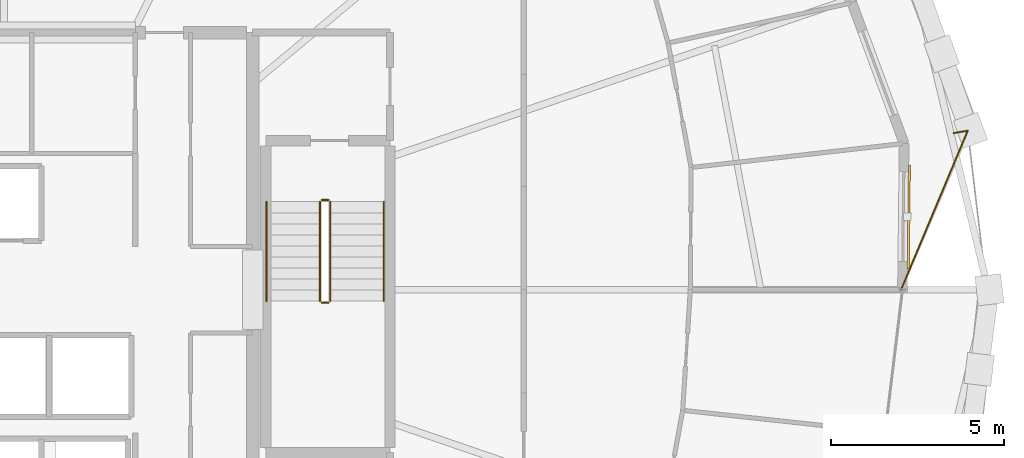
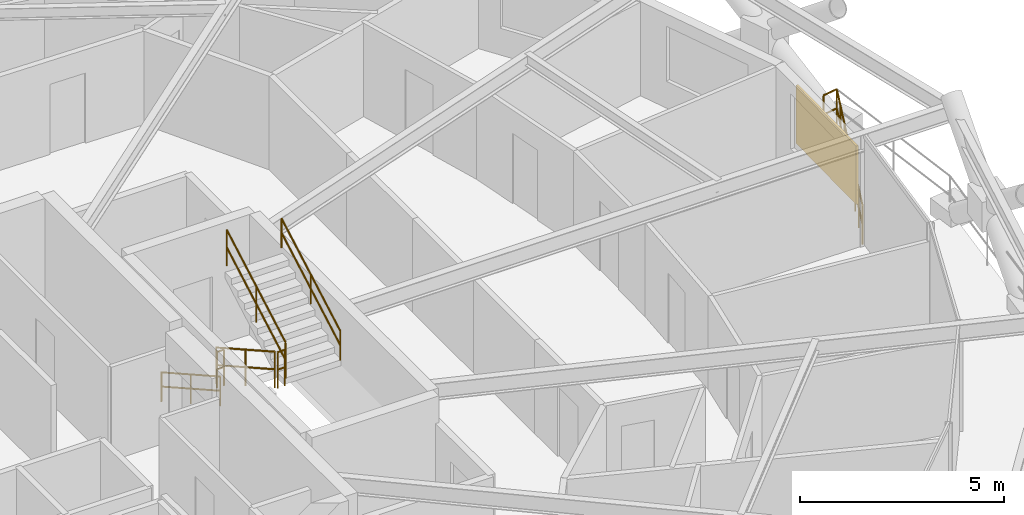
# One storey, part 20 of 20: 7 railings, 1 shading device.
"""IFC4 building model written with IfcOpenShell, lengths in metres."""

from ifc_helpers import new_model, si_unit, direction, frame, origin, origin_2d, place, context, subcontext, project, spatial, rectangle, circle, extrude, material, layer, layer_set, type_object, element, save


model = new_model("IFC4")

# Units and contexts
model_context = context("Model", 3, precision=1e-05, world=origin(), true_north=direction((0.0, 1.0)))
body_context = subcontext(model_context, "Body", "Model", "MODEL_VIEW")
ifc_project = project(units=[si_unit("LENGTHUNIT", "METRE"), si_unit("AREAUNIT", "SQUARE_METRE"), si_unit("VOLUMEUNIT", "CUBIC_METRE"), si_unit("PLANEANGLEUNIT", "RADIAN"), si_unit("MASSUNIT", "GRAM", prefix="KILO")], contexts=[model_context])

# Site, building, storey
site_placement = place(None, origin())
site = spatial("IfcSite", under=ifc_project, at=site_placement, CompositionType="ELEMENT")
building_placement = place(site_placement, origin())
building = spatial("IfcBuilding", under=site, at=building_placement, Name="Veldorina Hangang Commons", CompositionType="ELEMENT")
storey_placement = place(building_placement, frame((0.0, 0.0, 131.60009765625)))
storey = spatial("IfcBuildingStorey", under=building, at=storey_placement, Name="L33", CompositionType="ELEMENT", Elevation=131.60009765625)

# Railings
ifc_material_1 = material(Name="Glass Laminated Safety Balustrade", Category="glass")
railing_type_1 = type_object("IfcRailingType", Name="RL-BAL-LOGGIA", PredefinedType="BALUSTRADE", material=ifc_material_1)
railing_1_placement = place(storey_placement, frame((59.501953125, 28.53857421875, 0.0)))
element("IfcRailing", 1, at=railing_1_placement, inside=storey, type_object=railing_type_1, Name="L33 sky-garden loggia end balustrade B", PredefinedType="BALUSTRADE", context=body_context, shape_type="SweptSolid", body=[
    extrude(circle(Radius=0.02392578125, at=origin_2d()), frame((0.0, 0.0, 1.17578125), z_axis=(0.986659757818, 0.162795952969, 0.0), x_axis=(-0.162795952969, 0.986659757818, 0.0)), (0.0, 0.0, 1.0), 0.419921875),
    extrude(circle(Radius=0.02392578125, at=origin_2d()), frame((0.0, 0.0, 0.60009765625), z_axis=(0.986659757818, 0.162795952969, 0.0), x_axis=(-0.162795952969, 0.986659757818, 0.0)), (0.0, 0.0, 1.0), 0.419921875),
    extrude(circle(Radius=0.02392578125, at=origin_2d()), frame((0.414306640625, 0.068359375, 1.17578125), z_axis=(-0.38684196797, -0.922146025214, 0.0), x_axis=(0.922146025214, -0.38684196797, 0.0)), (0.0, 0.0, 1.0), 4.995849609375),
    extrude(circle(Radius=0.02392578125, at=origin_2d()), frame((0.414306640625, 0.068359375, 0.60009765625), z_axis=(-0.38684196797, -0.922146025214, 0.0), x_axis=(0.922146025214, -0.38684196797, 0.0)), (0.0, 0.0, 1.0), 4.995849609375),
    extrude(circle(Radius=0.02099609375, at=origin_2d()), origin(), (0.0, 0.0, 1.0), 1.15185546875),
    extrude(circle(Radius=0.02099609375, at=origin_2d()), frame((0.414306640625, 0.068359375, 0.0)), (0.0, 0.0, 1.0), 1.15185546875),
    extrude(circle(Radius=0.02099609375, at=origin_2d()), frame((0.13818359375, -0.58984375, 0.0)), (0.0, 0.0, 1.0), 1.15185546875),
    extrude(circle(Radius=0.02099609375, at=origin_2d()), frame((-0.137939453125, -1.247802734375, 0.0)), (0.0, 0.0, 1.0), 1.15185546875),
    extrude(circle(Radius=0.02099609375, at=origin_2d()), frame((-0.4140625, -1.906005859375, 0.0)), (0.0, 0.0, 1.0), 1.15185546875),
    extrude(circle(Radius=0.02099609375, at=origin_2d()), frame((-0.68994140625, -2.564208984375, 0.0)), (0.0, 0.0, 1.0), 1.15185546875),
    extrude(circle(Radius=0.02099609375, at=origin_2d()), frame((-0.966064453125, -3.222412109375, 0.0)), (0.0, 0.0, 1.0), 1.15185546875),
    extrude(circle(Radius=0.02099609375, at=origin_2d()), frame((-1.2421875, -3.88037109375, 0.0)), (0.0, 0.0, 1.0), 1.15185546875),
    extrude(circle(Radius=0.02099609375, at=origin_2d()), frame((-1.518310546875, -4.53857421875, 0.0)), (0.0, 0.0, 1.0), 1.15185546875),
])
ifc_material_2 = material(Name="Steel Painted Balustrade", Category="steel")
railing_type_2 = type_object("IfcRailingType", Name="RL-GRD-STAIR", PredefinedType="GUARDRAIL", material=ifc_material_2)
railing_2_placement = place(storey_placement, frame((41.14990234375, 26.550048828125, 0.179931640625)))
element("IfcRailing", 2, at=railing_2_placement, inside=storey, type_object=railing_type_2, Name="L33 ST-2 stair guard 1", PredefinedType="GUARDRAIL", context=body_context, shape_type="SweptSolid", body=[
    extrude(circle(Radius=0.02392578125, at=origin_2d()), frame((0.0, 0.0, 1.076171875), z_axis=(0.0, -0.871601186807, 0.490215637405), x_axis=(1.0, 0.0, 0.0)), (0.0, 0.0, 1.0), 3.304443359375),
    extrude(circle(Radius=0.02392578125, at=origin_2d()), frame((0.0, 0.0, 0.550048828125), z_axis=(0.0, -0.871601186807, 0.490215637405), x_axis=(1.0, 0.0, 0.0)), (0.0, 0.0, 1.0), 3.304443359375),
    extrude(circle(Radius=0.02099609375, at=origin_2d()), origin(), (0.0, 0.0, 1.0), 1.052001953125),
    extrude(circle(Radius=0.02099609375, at=origin_2d()), frame((0.0, -1.43994140625, 0.81005859375)), (0.0, 0.0, 1.0), 1.052001953125),
    extrude(circle(Radius=0.02099609375, at=origin_2d()), frame((0.0, -2.880126953125, 1.619873046875)), (0.0, 0.0, 1.0), 1.052001953125),
])
railing_3_placement = place(storey_placement, frame((41.199951171875, 23.6201171875, 1.7998046875)))
element("IfcRailing", 3, at=railing_3_placement, inside=storey, type_object=railing_type_2, Name="L33 ST-2 stair guard 2", PredefinedType="GUARDRAIL", context=body_context, shape_type="SweptSolid", body=[
    extrude(circle(Radius=0.02392578125, at=origin_2d()), frame((0.0, 0.0, 1.076171875), z_axis=(1.0, 0.0, 0.0), x_axis=(0.0, 1.0, 0.0)), (0.0, 0.0, 1.0), 0.199951171875),
    extrude(circle(Radius=0.02392578125, at=origin_2d()), frame((0.0, 0.0, 0.550048828125), z_axis=(1.0, 0.0, 0.0), x_axis=(0.0, 1.0, 0.0)), (0.0, 0.0, 1.0), 0.199951171875),
    extrude(circle(Radius=0.02099609375, at=origin_2d()), origin(), (0.0, 0.0, 1.0), 1.052001953125),
    extrude(circle(Radius=0.02099609375, at=origin_2d()), frame((0.199951171875, 0.0, 0.0)), (0.0, 0.0, 1.0), 1.052001953125),
])
railing_4_placement = place(storey_placement, frame((41.449951171875, 23.669921875, 1.97998046875)))
element("IfcRailing", 4, at=railing_4_placement, inside=storey, type_object=railing_type_2, Name="L33 ST-2 stair guard 3", PredefinedType="GUARDRAIL", context=body_context, shape_type="SweptSolid", body=[
    extrude(circle(Radius=0.02392578125, at=origin_2d()), frame((0.0, 0.0, 1.076171875), z_axis=(0.0, 0.871601186807, 0.490215637405), x_axis=(-1.0, 0.0, 0.0)), (0.0, 0.0, 1.0), 3.304443359375),
    extrude(circle(Radius=0.02392578125, at=origin_2d()), frame((0.0, 0.0, 0.550048828125), z_axis=(0.0, 0.871601186807, 0.490215637405), x_axis=(-1.0, 0.0, 0.0)), (0.0, 0.0, 1.0), 3.304443359375),
    extrude(circle(Radius=0.02099609375, at=origin_2d()), origin(), (0.0, 0.0, 1.0), 1.052001953125),
    extrude(circle(Radius=0.02099609375, at=origin_2d()), frame((0.0, 1.43994140625, 0.81005859375)), (0.0, 0.0, 1.0), 1.052001953125),
    extrude(circle(Radius=0.02099609375, at=origin_2d()), frame((0.0, 2.880126953125, 1.619873046875)), (0.0, 0.0, 1.0), 1.052001953125),
])
railing_5_placement = place(storey_placement, frame((41.199951171875, 26.60009765625, 0.0)))
element("IfcRailing", 5, at=railing_5_placement, inside=storey, type_object=railing_type_2, Name="L33 ST-2 stair guard 4", PredefinedType="GUARDRAIL", context=body_context, shape_type="SweptSolid", body=[
    extrude(circle(Radius=0.02392578125, at=origin_2d()), frame((0.0, 0.0, 1.076171875), z_axis=(1.0, 0.0, 0.0), x_axis=(0.0, 1.0, 0.0)), (0.0, 0.0, 1.0), 0.199951171875),
    extrude(circle(Radius=0.02392578125, at=origin_2d()), frame((0.0, 0.0, 0.550048828125), z_axis=(1.0, 0.0, 0.0), x_axis=(0.0, 1.0, 0.0)), (0.0, 0.0, 1.0), 0.199951171875),
    extrude(circle(Radius=0.02099609375, at=origin_2d()), origin(), (0.0, 0.0, 1.0), 1.052001953125),
    extrude(circle(Radius=0.02099609375, at=origin_2d()), frame((0.199951171875, 0.0, 0.0)), (0.0, 0.0, 1.0), 1.052001953125),
])
ifc_material_3 = material(Name="Stainless Steel Brushed 316", Category="steel")
railing_type_3 = type_object("IfcRailingType", Name="RL-HND-STAIR", PredefinedType="HANDRAIL", material=ifc_material_3)
railing_6_placement = place(storey_placement, frame((39.60009765625, 26.550048828125, 0.179931640625)))
element("IfcRailing", 6, at=railing_6_placement, inside=storey, type_object=railing_type_3, Name="L33 ST-2 stair handrail 1", PredefinedType="HANDRAIL", context=body_context, shape_type="SweptSolid", body=[
    extrude(circle(Radius=0.02392578125, at=origin_2d()), frame((0.0, 0.0, 0.8759765625), z_axis=(0.0, -0.871601186807, 0.490215637405), x_axis=(1.0, 0.0, 0.0)), (0.0, 0.0, 1.0), 3.304443359375),
    extrude(circle(Radius=0.02392578125, at=origin_2d()), frame((0.0, 0.0, 0.449951171875), z_axis=(0.0, -0.871601186807, 0.490215637405), x_axis=(1.0, 0.0, 0.0)), (0.0, 0.0, 1.0), 3.304443359375),
    extrude(circle(Radius=0.02099609375, at=origin_2d()), origin(), (0.0, 0.0, 1.0), 0.851806640625),
    extrude(circle(Radius=0.02099609375, at=origin_2d()), frame((0.0, -1.43994140625, 0.81005859375)), (0.0, 0.0, 1.0), 0.851806640625),
    extrude(circle(Radius=0.02099609375, at=origin_2d()), frame((0.0, -2.880126953125, 1.619873046875)), (0.0, 0.0, 1.0), 0.851806640625),
])
railing_7_placement = place(storey_placement, frame((43.0, 23.669921875, 1.97998046875)))
element("IfcRailing", 7, at=railing_7_placement, inside=storey, type_object=railing_type_3, Name="L33 ST-2 stair handrail 2", PredefinedType="HANDRAIL", context=body_context, shape_type="SweptSolid", body=[
    extrude(circle(Radius=0.02392578125, at=origin_2d()), frame((0.0, 0.0, 0.8759765625), z_axis=(0.0, 0.871601186807, 0.490215637405), x_axis=(-1.0, 0.0, 0.0)), (0.0, 0.0, 1.0), 3.304443359375),
    extrude(circle(Radius=0.02392578125, at=origin_2d()), frame((0.0, 0.0, 0.449951171875), z_axis=(0.0, 0.871601186807, 0.490215637405), x_axis=(-1.0, 0.0, 0.0)), (0.0, 0.0, 1.0), 3.304443359375),
    extrude(circle(Radius=0.02099609375, at=origin_2d()), origin(), (0.0, 0.0, 1.0), 0.851806640625),
    extrude(circle(Radius=0.02099609375, at=origin_2d()), frame((0.0, 1.43994140625, 0.81005859375)), (0.0, 0.0, 1.0), 0.851806640625),
    extrude(circle(Radius=0.02099609375, at=origin_2d()), frame((0.0, 2.880126953125, 1.619873046875)), (0.0, 0.0, 1.0), 0.851806640625),
])

# Shading device
ifc_material_4 = material(Name="Ceramic Glazed Terracotta", Category="masonry")
ifc_layer = layer(ifc_material_4, 0.06005859375)
ifc_layer_set = layer_set([ifc_layer], Name="Ceramic Glazed Terracotta")
shading_device_type = type_object("IfcShadingDeviceType", Name="SCR-CER-3000", PredefinedType="USERDEFINED", material=ifc_layer_set)
shading_device_placement = place(storey_placement, frame((58.208251953125, 26.116943359375, 0.75), z_axis=(0.0, 0.0, 1.0), x_axis=(0.011606178945, 0.999932646037, 0.0)))
element("IfcShadingDevice", 8, at=shading_device_placement, inside=storey, type_object=shading_device_type, Name="L33 PERFORATED CERAMIC SOLAR SCREEN 00", ObjectType="SCREEN", PredefinedType="USERDEFINED", context=body_context, shape_type="SweptSolid", body=[
    extrude(rectangle(XDim=3.0, YDim=0.06005859375, at=origin_2d()), origin(), (0.0, 0.0, 1.0), 1.75),
])

save(model, "model.ifc")
